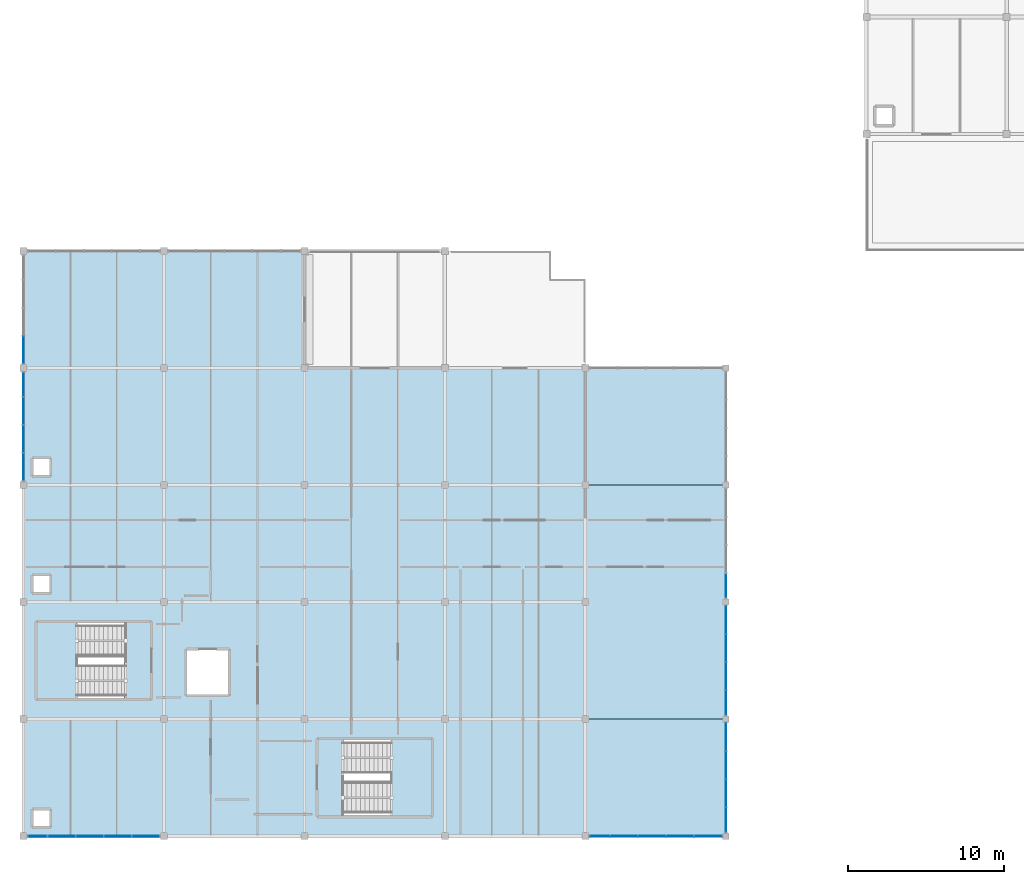
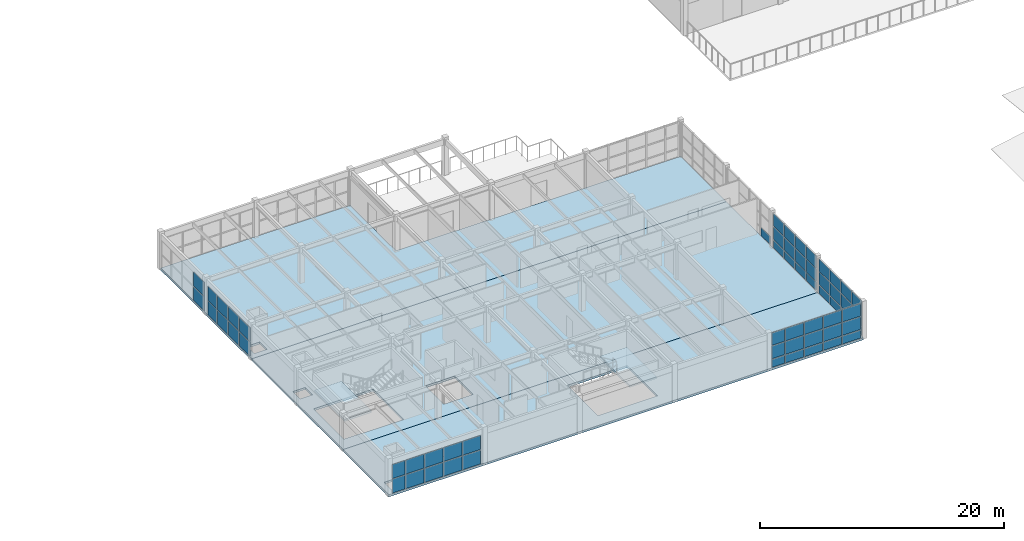
# One storey, part 23 of 45: 60 plates, 5 slabs, 9 elements without a shape of their own.
"""IFC4 building model written with IfcOpenShell, lengths in metres."""

from ifc_helpers import new_model, si_unit, direction, frame, origin, origin_2d, place, context, subcontext, project, spatial, polyline, rectangle, outline, extrude, material, layer, layer_set, type_object, element, aggregate, save


model = new_model("IFC4")

# Units and contexts
model_context = context("Model", 3, precision=1e-05, world=origin(), true_north=direction((0.0, 1.0)))
body_context = subcontext(model_context, "Body", "Model", "MODEL_VIEW")
ifc_project = project(units=[si_unit("LENGTHUNIT", "METRE"), si_unit("AREAUNIT", "SQUARE_METRE"), si_unit("VOLUMEUNIT", "CUBIC_METRE"), si_unit("PLANEANGLEUNIT", "RADIAN"), si_unit("MASSUNIT", "GRAM", prefix="KILO")], contexts=[model_context])

# Site, building, storey
site_placement = place(None, origin())
site = spatial("IfcSite", under=ifc_project, at=site_placement, CompositionType="ELEMENT")
building_placement = place(site_placement, origin())
building = spatial("IfcBuilding", under=site, at=building_placement, Name="Marnridge Secondary College", CompositionType="ELEMENT")
storey_placement = place(building_placement, frame((0.0, 0.0, 12.300048828125)))
storey = spatial("IfcBuildingStorey", under=building, at=storey_placement, Name="L03", CompositionType="ELEMENT", Elevation=12.300048828125)

# Curtain wall, plate
ifc_material_1 = material(Name="Bronze-anodised aluminium and solar-control glazing", Category="aluminium")
ifc_layer_1 = layer(ifc_material_1, 0.199951171875)
ifc_layer_set_1 = layer_set([ifc_layer_1], Name="CW-MOD-1800")
curtain_wall_type = type_object("IfcCurtainWallType", Name="CW-MOD-1800", PredefinedType="NOTDEFINED", material=ifc_layer_set_1)
curtain_wall_1_placement = place(storey_placement, origin())
curtain_wall_1 = element("IfcCurtainWall", 1, at=curtain_wall_1_placement, inside=storey, type_object=curtain_wall_type, Name="Unitised curtain wall CW-L03-131", PredefinedType="NOTDEFINED")
ifc_material_2 = material(Name="Acoustic laminated solar-control double glazing", Category="glass")
ifc_layer_2 = layer(ifc_material_2, 0.035888671875)
ifc_layer_set_2 = layer_set([ifc_layer_2], Name="CWP-GLZ36")
plate_type = type_object("IfcPlateType", Name="CWP-GLZ36", PredefinedType="CURTAIN_PANEL", material=ifc_layer_set_2)
plate_1_placement = place(storey_placement, frame((45.0, 16.050048828125, 0.06494140625), z_axis=(0.0, 0.0, 1.0), x_axis=(0.0, -1.0, 0.0)))
plate_1 = element("IfcPlate", 2, at=plate_1_placement, type_object=plate_type, Name="CW-L03-131 panel 4.1", PredefinedType="CURTAIN_PANEL", context=body_context, shape_type="SweptSolid", body=[
    extrude(rectangle(XDim=1.552001953125, YDim=0.035888671875, at=origin_2d()), origin(), (0.0, 0.0, 1.0), 0.802490234375),
])
aggregate(curtain_wall_1, [plate_1])

# Curtain wall, plates
curtain_wall_2_placement = place(storey_placement, origin())
curtain_wall_2 = element("IfcCurtainWall", 3, at=curtain_wall_2_placement, inside=storey, type_object=curtain_wall_type, Name="Unitised curtain wall CW-L03-132", PredefinedType="NOTDEFINED")
plate_2_placement = place(storey_placement, frame((45.0, 13.861083984375, 0.06494140625), z_axis=(0.0, 0.0, 1.0), x_axis=(0.0, -1.0, 0.0)))
plate_2 = element("IfcPlate", 4, at=plate_2_placement, type_object=plate_type, Name="CW-L03-132 panel 1.1", PredefinedType="CURTAIN_PANEL", context=body_context, shape_type="SweptSolid", body=[
    extrude(rectangle(XDim=1.72998046875, YDim=0.035888671875, at=origin_2d()), origin(), (0.0, 0.0, 1.0), 0.802490234375),
])
plate_3_placement = place(storey_placement, frame((45.0, 13.861083984375, 0.9326171875), z_axis=(0.0, 0.0, 1.0), x_axis=(0.0, -1.0, 0.0)))
plate_3 = element("IfcPlate", 5, at=plate_3_placement, type_object=plate_type, Name="CW-L03-132 panel 1.2", PredefinedType="CURTAIN_PANEL", context=body_context, shape_type="SweptSolid", body=[
    extrude(rectangle(XDim=1.72998046875, YDim=0.035888671875, at=origin_2d()), origin(), (0.0, 0.0, 1.0), 1.284912109375),
])
plate_4_placement = place(storey_placement, frame((45.0, 13.861083984375, 2.28271484375), z_axis=(0.0, 0.0, 1.0), x_axis=(0.0, -1.0, 0.0)))
plate_4 = element("IfcPlate", 6, at=plate_4_placement, type_object=plate_type, Name="CW-L03-132 panel 1.3", PredefinedType="CURTAIN_PANEL", context=body_context, shape_type="SweptSolid", body=[
    extrude(rectangle(XDim=1.72998046875, YDim=0.035888671875, at=origin_2d()), origin(), (0.0, 0.0, 1.0), 1.242431640625),
])
plate_5_placement = place(storey_placement, frame((45.0, 12.06103515625, 0.06494140625), z_axis=(0.0, 0.0, 1.0), x_axis=(0.0, -1.0, 0.0)))
plate_5 = element("IfcPlate", 7, at=plate_5_placement, type_object=plate_type, Name="CW-L03-132 panel 2.1", PredefinedType="CURTAIN_PANEL", context=body_context, shape_type="SweptSolid", body=[
    extrude(rectangle(XDim=1.72998046875, YDim=0.035888671875, at=origin_2d()), origin(), (0.0, 0.0, 1.0), 0.802490234375),
])
plate_6_placement = place(storey_placement, frame((45.0, 12.06103515625, 0.9326171875), z_axis=(0.0, 0.0, 1.0), x_axis=(0.0, -1.0, 0.0)))
plate_6 = element("IfcPlate", 8, at=plate_6_placement, type_object=plate_type, Name="CW-L03-132 panel 2.2", PredefinedType="CURTAIN_PANEL", context=body_context, shape_type="SweptSolid", body=[
    extrude(rectangle(XDim=1.72998046875, YDim=0.035888671875, at=origin_2d()), origin(), (0.0, 0.0, 1.0), 1.284912109375),
])
plate_7_placement = place(storey_placement, frame((45.0, 12.06103515625, 2.28271484375), z_axis=(0.0, 0.0, 1.0), x_axis=(0.0, -1.0, 0.0)))
plate_7 = element("IfcPlate", 9, at=plate_7_placement, type_object=plate_type, Name="CW-L03-132 panel 2.3", PredefinedType="CURTAIN_PANEL", context=body_context, shape_type="SweptSolid", body=[
    extrude(rectangle(XDim=1.72998046875, YDim=0.035888671875, at=origin_2d()), origin(), (0.0, 0.0, 1.0), 1.242431640625),
])
plate_8_placement = place(storey_placement, frame((45.0, 10.260986328125, 0.06494140625), z_axis=(0.0, 0.0, 1.0), x_axis=(0.0, -1.0, 0.0)))
plate_8 = element("IfcPlate", 10, at=plate_8_placement, type_object=plate_type, Name="CW-L03-132 panel 3.1", PredefinedType="CURTAIN_PANEL", context=body_context, shape_type="SweptSolid", body=[
    extrude(rectangle(XDim=1.72998046875, YDim=0.035888671875, at=origin_2d()), origin(), (0.0, 0.0, 1.0), 0.802490234375),
])
plate_9_placement = place(storey_placement, frame((45.0, 10.260986328125, 0.9326171875), z_axis=(0.0, 0.0, 1.0), x_axis=(0.0, -1.0, 0.0)))
plate_9 = element("IfcPlate", 11, at=plate_9_placement, type_object=plate_type, Name="CW-L03-132 panel 3.2", PredefinedType="CURTAIN_PANEL", context=body_context, shape_type="SweptSolid", body=[
    extrude(rectangle(XDim=1.72998046875, YDim=0.035888671875, at=origin_2d()), origin(), (0.0, 0.0, 1.0), 1.284912109375),
])
plate_10_placement = place(storey_placement, frame((45.0, 10.260986328125, 2.28271484375), z_axis=(0.0, 0.0, 1.0), x_axis=(0.0, -1.0, 0.0)))
plate_10 = element("IfcPlate", 12, at=plate_10_placement, type_object=plate_type, Name="CW-L03-132 panel 3.3", PredefinedType="CURTAIN_PANEL", context=body_context, shape_type="SweptSolid", body=[
    extrude(rectangle(XDim=1.72998046875, YDim=0.035888671875, at=origin_2d()), origin(), (0.0, 0.0, 1.0), 1.242431640625),
])
plate_11_placement = place(storey_placement, frame((45.0, 8.550048828125, 0.06494140625), z_axis=(0.0, 0.0, 1.0), x_axis=(0.0, -1.0, 0.0)))
plate_11 = element("IfcPlate", 13, at=plate_11_placement, type_object=plate_type, Name="CW-L03-132 panel 4.1", PredefinedType="CURTAIN_PANEL", context=body_context, shape_type="SweptSolid", body=[
    extrude(rectangle(XDim=1.552001953125, YDim=0.035888671875, at=origin_2d()), origin(), (0.0, 0.0, 1.0), 0.802490234375),
])
plate_12_placement = place(storey_placement, frame((45.0, 8.550048828125, 0.9326171875), z_axis=(0.0, 0.0, 1.0), x_axis=(0.0, -1.0, 0.0)))
plate_12 = element("IfcPlate", 14, at=plate_12_placement, type_object=plate_type, Name="CW-L03-132 panel 4.2", PredefinedType="CURTAIN_PANEL", context=body_context, shape_type="SweptSolid", body=[
    extrude(rectangle(XDim=1.552001953125, YDim=0.035888671875, at=origin_2d()), origin(), (0.0, 0.0, 1.0), 1.284912109375),
])
plate_13_placement = place(storey_placement, frame((45.0, 8.550048828125, 2.28271484375), z_axis=(0.0, 0.0, 1.0), x_axis=(0.0, -1.0, 0.0)))
plate_13 = element("IfcPlate", 15, at=plate_13_placement, type_object=plate_type, Name="CW-L03-132 panel 4.3", PredefinedType="CURTAIN_PANEL", context=body_context, shape_type="SweptSolid", body=[
    extrude(rectangle(XDim=1.552001953125, YDim=0.035888671875, at=origin_2d()), origin(), (0.0, 0.0, 1.0), 1.242431640625),
])
aggregate(curtain_wall_2, [plate_2, plate_3, plate_4, plate_5, plate_6, plate_7, plate_8, plate_9, plate_10, plate_11, plate_12, plate_13])

curtain_wall_3_placement = place(storey_placement, origin())
curtain_wall_3 = element("IfcCurtainWall", 16, at=curtain_wall_3_placement, inside=storey, type_object=curtain_wall_type, Name="Unitised curtain wall CW-L03-133", PredefinedType="NOTDEFINED")
plate_14_placement = place(storey_placement, frame((45.0, 6.361083984375, 0.06494140625), z_axis=(0.0, 0.0, 1.0), x_axis=(0.0, -1.0, 0.0)))
plate_14 = element("IfcPlate", 17, at=plate_14_placement, type_object=plate_type, Name="CW-L03-133 panel 1.1", PredefinedType="CURTAIN_PANEL", context=body_context, shape_type="SweptSolid", body=[
    extrude(rectangle(XDim=1.72998046875, YDim=0.035888671875, at=origin_2d()), origin(), (0.0, 0.0, 1.0), 0.802490234375),
])
plate_15_placement = place(storey_placement, frame((45.0, 6.361083984375, 0.9326171875), z_axis=(0.0, 0.0, 1.0), x_axis=(0.0, -1.0, 0.0)))
plate_15 = element("IfcPlate", 18, at=plate_15_placement, type_object=plate_type, Name="CW-L03-133 panel 1.2", PredefinedType="CURTAIN_PANEL", context=body_context, shape_type="SweptSolid", body=[
    extrude(rectangle(XDim=1.72998046875, YDim=0.035888671875, at=origin_2d()), origin(), (0.0, 0.0, 1.0), 1.284912109375),
])
plate_16_placement = place(storey_placement, frame((45.0, 6.361083984375, 2.28271484375), z_axis=(0.0, 0.0, 1.0), x_axis=(0.0, -1.0, 0.0)))
plate_16 = element("IfcPlate", 19, at=plate_16_placement, type_object=plate_type, Name="CW-L03-133 panel 1.3", PredefinedType="CURTAIN_PANEL", context=body_context, shape_type="SweptSolid", body=[
    extrude(rectangle(XDim=1.72998046875, YDim=0.035888671875, at=origin_2d()), origin(), (0.0, 0.0, 1.0), 1.242431640625),
])
plate_17_placement = place(storey_placement, frame((45.0, 4.56103515625, 0.06494140625), z_axis=(0.0, 0.0, 1.0), x_axis=(0.0, -1.0, 0.0)))
plate_17 = element("IfcPlate", 20, at=plate_17_placement, type_object=plate_type, Name="CW-L03-133 panel 2.1", PredefinedType="CURTAIN_PANEL", context=body_context, shape_type="SweptSolid", body=[
    extrude(rectangle(XDim=1.72998046875, YDim=0.035888671875, at=origin_2d()), origin(), (0.0, 0.0, 1.0), 0.802490234375),
])
plate_18_placement = place(storey_placement, frame((45.0, 4.56103515625, 0.9326171875), z_axis=(0.0, 0.0, 1.0), x_axis=(0.0, -1.0, 0.0)))
plate_18 = element("IfcPlate", 21, at=plate_18_placement, type_object=plate_type, Name="CW-L03-133 panel 2.2", PredefinedType="CURTAIN_PANEL", context=body_context, shape_type="SweptSolid", body=[
    extrude(rectangle(XDim=1.72998046875, YDim=0.035888671875, at=origin_2d()), origin(), (0.0, 0.0, 1.0), 1.284912109375),
])
plate_19_placement = place(storey_placement, frame((45.0, 4.56103515625, 2.28271484375), z_axis=(0.0, 0.0, 1.0), x_axis=(0.0, -1.0, 0.0)))
plate_19 = element("IfcPlate", 22, at=plate_19_placement, type_object=plate_type, Name="CW-L03-133 panel 2.3", PredefinedType="CURTAIN_PANEL", context=body_context, shape_type="SweptSolid", body=[
    extrude(rectangle(XDim=1.72998046875, YDim=0.035888671875, at=origin_2d()), origin(), (0.0, 0.0, 1.0), 1.242431640625),
])
plate_20_placement = place(storey_placement, frame((45.0, 2.760986328125, 0.06494140625), z_axis=(0.0, 0.0, 1.0), x_axis=(0.0, -1.0, 0.0)))
plate_20 = element("IfcPlate", 23, at=plate_20_placement, type_object=plate_type, Name="CW-L03-133 panel 3.1", PredefinedType="CURTAIN_PANEL", context=body_context, shape_type="SweptSolid", body=[
    extrude(rectangle(XDim=1.72998046875, YDim=0.035888671875, at=origin_2d()), origin(), (0.0, 0.0, 1.0), 0.802490234375),
])
plate_21_placement = place(storey_placement, frame((45.0, 2.760986328125, 0.9326171875), z_axis=(0.0, 0.0, 1.0), x_axis=(0.0, -1.0, 0.0)))
plate_21 = element("IfcPlate", 24, at=plate_21_placement, type_object=plate_type, Name="CW-L03-133 panel 3.2", PredefinedType="CURTAIN_PANEL", context=body_context, shape_type="SweptSolid", body=[
    extrude(rectangle(XDim=1.72998046875, YDim=0.035888671875, at=origin_2d()), origin(), (0.0, 0.0, 1.0), 1.284912109375),
])
plate_22_placement = place(storey_placement, frame((45.0, 2.760986328125, 2.28271484375), z_axis=(0.0, 0.0, 1.0), x_axis=(0.0, -1.0, 0.0)))
plate_22 = element("IfcPlate", 25, at=plate_22_placement, type_object=plate_type, Name="CW-L03-133 panel 3.3", PredefinedType="CURTAIN_PANEL", context=body_context, shape_type="SweptSolid", body=[
    extrude(rectangle(XDim=1.72998046875, YDim=0.035888671875, at=origin_2d()), origin(), (0.0, 0.0, 1.0), 1.242431640625),
])
plate_23_placement = place(storey_placement, frame((45.0, 1.050048828125, 0.06494140625), z_axis=(0.0, 0.0, 1.0), x_axis=(0.0, -1.0, 0.0)))
plate_23 = element("IfcPlate", 26, at=plate_23_placement, type_object=plate_type, Name="CW-L03-133 panel 4.1", PredefinedType="CURTAIN_PANEL", context=body_context, shape_type="SweptSolid", body=[
    extrude(rectangle(XDim=1.552001953125, YDim=0.035888671875, at=origin_2d()), origin(), (0.0, 0.0, 1.0), 0.802490234375),
])
plate_24_placement = place(storey_placement, frame((45.0, 1.050048828125, 0.9326171875), z_axis=(0.0, 0.0, 1.0), x_axis=(0.0, -1.0, 0.0)))
plate_24 = element("IfcPlate", 27, at=plate_24_placement, type_object=plate_type, Name="CW-L03-133 panel 4.2", PredefinedType="CURTAIN_PANEL", context=body_context, shape_type="SweptSolid", body=[
    extrude(rectangle(XDim=1.552001953125, YDim=0.035888671875, at=origin_2d()), origin(), (0.0, 0.0, 1.0), 1.284912109375),
])
plate_25_placement = place(storey_placement, frame((45.0, 1.050048828125, 2.28271484375), z_axis=(0.0, 0.0, 1.0), x_axis=(0.0, -1.0, 0.0)))
plate_25 = element("IfcPlate", 28, at=plate_25_placement, type_object=plate_type, Name="CW-L03-133 panel 4.3", PredefinedType="CURTAIN_PANEL", context=body_context, shape_type="SweptSolid", body=[
    extrude(rectangle(XDim=1.552001953125, YDim=0.035888671875, at=origin_2d()), origin(), (0.0, 0.0, 1.0), 1.242431640625),
])
aggregate(curtain_wall_3, [plate_14, plate_15, plate_16, plate_17, plate_18, plate_19, plate_20, plate_21, plate_22, plate_23, plate_24, plate_25])

curtain_wall_4_placement = place(storey_placement, origin())
curtain_wall_4 = element("IfcCurtainWall", 29, at=curtain_wall_4_placement, inside=storey, type_object=curtain_wall_type, Name="Unitised curtain wall CW-L03-134", PredefinedType="NOTDEFINED")
plate_26_placement = place(storey_placement, frame((43.861083984375, 0.0, 0.06494140625), z_axis=(0.0, 0.0, 1.0), x_axis=(-1.0, 0.0, 0.0)))
plate_26 = element("IfcPlate", 30, at=plate_26_placement, type_object=plate_type, Name="CW-L03-134 panel 1.1", PredefinedType="CURTAIN_PANEL", context=body_context, shape_type="SweptSolid", body=[
    extrude(rectangle(XDim=1.72998046875, YDim=0.035888671875, at=origin_2d()), origin(), (0.0, 0.0, 1.0), 0.802490234375),
])
plate_27_placement = place(storey_placement, frame((43.861083984375, 0.0, 0.9326171875), z_axis=(0.0, 0.0, 1.0), x_axis=(-1.0, 0.0, 0.0)))
plate_27 = element("IfcPlate", 31, at=plate_27_placement, type_object=plate_type, Name="CW-L03-134 panel 1.2", PredefinedType="CURTAIN_PANEL", context=body_context, shape_type="SweptSolid", body=[
    extrude(rectangle(XDim=1.72998046875, YDim=0.035888671875, at=origin_2d()), origin(), (0.0, 0.0, 1.0), 1.284912109375),
])
plate_28_placement = place(storey_placement, frame((43.861083984375, 0.0, 2.28271484375), z_axis=(0.0, 0.0, 1.0), x_axis=(-1.0, 0.0, 0.0)))
plate_28 = element("IfcPlate", 32, at=plate_28_placement, type_object=plate_type, Name="CW-L03-134 panel 1.3", PredefinedType="CURTAIN_PANEL", context=body_context, shape_type="SweptSolid", body=[
    extrude(rectangle(XDim=1.72998046875, YDim=0.035888671875, at=origin_2d()), origin(), (0.0, 0.0, 1.0), 1.242431640625),
])
plate_29_placement = place(storey_placement, frame((42.06103515625, 0.0, 0.06494140625), z_axis=(0.0, 0.0, 1.0), x_axis=(-1.0, 0.0, 0.0)))
plate_29 = element("IfcPlate", 33, at=plate_29_placement, type_object=plate_type, Name="CW-L03-134 panel 2.1", PredefinedType="CURTAIN_PANEL", context=body_context, shape_type="SweptSolid", body=[
    extrude(rectangle(XDim=1.72998046875, YDim=0.035888671875, at=origin_2d()), origin(), (0.0, 0.0, 1.0), 0.802490234375),
])
plate_30_placement = place(storey_placement, frame((42.06103515625, 0.0, 0.9326171875), z_axis=(0.0, 0.0, 1.0), x_axis=(-1.0, 0.0, 0.0)))
plate_30 = element("IfcPlate", 34, at=plate_30_placement, type_object=plate_type, Name="CW-L03-134 panel 2.2", PredefinedType="CURTAIN_PANEL", context=body_context, shape_type="SweptSolid", body=[
    extrude(rectangle(XDim=1.72998046875, YDim=0.035888671875, at=origin_2d()), origin(), (0.0, 0.0, 1.0), 1.284912109375),
])
plate_31_placement = place(storey_placement, frame((42.06103515625, 0.0, 2.28271484375), z_axis=(0.0, 0.0, 1.0), x_axis=(-1.0, 0.0, 0.0)))
plate_31 = element("IfcPlate", 35, at=plate_31_placement, type_object=plate_type, Name="CW-L03-134 panel 2.3", PredefinedType="CURTAIN_PANEL", context=body_context, shape_type="SweptSolid", body=[
    extrude(rectangle(XDim=1.72998046875, YDim=0.035888671875, at=origin_2d()), origin(), (0.0, 0.0, 1.0), 1.242431640625),
])
plate_32_placement = place(storey_placement, frame((40.260986328125, 0.0, 0.06494140625), z_axis=(0.0, 0.0, 1.0), x_axis=(-1.0, 0.0, 0.0)))
plate_32 = element("IfcPlate", 36, at=plate_32_placement, type_object=plate_type, Name="CW-L03-134 panel 3.1", PredefinedType="CURTAIN_PANEL", context=body_context, shape_type="SweptSolid", body=[
    extrude(rectangle(XDim=1.72998046875, YDim=0.035888671875, at=origin_2d()), origin(), (0.0, 0.0, 1.0), 0.802490234375),
])
plate_33_placement = place(storey_placement, frame((40.260986328125, 0.0, 0.9326171875), z_axis=(0.0, 0.0, 1.0), x_axis=(-1.0, 0.0, 0.0)))
plate_33 = element("IfcPlate", 37, at=plate_33_placement, type_object=plate_type, Name="CW-L03-134 panel 3.2", PredefinedType="CURTAIN_PANEL", context=body_context, shape_type="SweptSolid", body=[
    extrude(rectangle(XDim=1.72998046875, YDim=0.035888671875, at=origin_2d()), origin(), (0.0, 0.0, 1.0), 1.284912109375),
])
plate_34_placement = place(storey_placement, frame((40.260986328125, 0.0, 2.28271484375), z_axis=(0.0, 0.0, 1.0), x_axis=(-1.0, 0.0, 0.0)))
plate_34 = element("IfcPlate", 38, at=plate_34_placement, type_object=plate_type, Name="CW-L03-134 panel 3.3", PredefinedType="CURTAIN_PANEL", context=body_context, shape_type="SweptSolid", body=[
    extrude(rectangle(XDim=1.72998046875, YDim=0.035888671875, at=origin_2d()), origin(), (0.0, 0.0, 1.0), 1.242431640625),
])
plate_35_placement = place(storey_placement, frame((38.4609375, 0.0, 0.06494140625), z_axis=(0.0, 0.0, 1.0), x_axis=(-1.0, 0.0, 0.0)))
plate_35 = element("IfcPlate", 39, at=plate_35_placement, type_object=plate_type, Name="CW-L03-134 panel 4.1", PredefinedType="CURTAIN_PANEL", context=body_context, shape_type="SweptSolid", body=[
    extrude(rectangle(XDim=1.72998046875, YDim=0.035888671875, at=origin_2d()), origin(), (0.0, 0.0, 1.0), 0.802490234375),
])
plate_36_placement = place(storey_placement, frame((38.4609375, 0.0, 0.9326171875), z_axis=(0.0, 0.0, 1.0), x_axis=(-1.0, 0.0, 0.0)))
plate_36 = element("IfcPlate", 40, at=plate_36_placement, type_object=plate_type, Name="CW-L03-134 panel 4.2", PredefinedType="CURTAIN_PANEL", context=body_context, shape_type="SweptSolid", body=[
    extrude(rectangle(XDim=1.72998046875, YDim=0.035888671875, at=origin_2d()), origin(), (0.0, 0.0, 1.0), 1.284912109375),
])
plate_37_placement = place(storey_placement, frame((38.4609375, 0.0, 2.28271484375), z_axis=(0.0, 0.0, 1.0), x_axis=(-1.0, 0.0, 0.0)))
plate_37 = element("IfcPlate", 41, at=plate_37_placement, type_object=plate_type, Name="CW-L03-134 panel 4.3", PredefinedType="CURTAIN_PANEL", context=body_context, shape_type="SweptSolid", body=[
    extrude(rectangle(XDim=1.72998046875, YDim=0.035888671875, at=origin_2d()), origin(), (0.0, 0.0, 1.0), 1.242431640625),
])
plate_38_placement = place(storey_placement, frame((36.91259765625, 0.0, 0.06494140625), z_axis=(0.0, 0.0, 1.0), x_axis=(-1.0, 0.0, 0.0)))
plate_38 = element("IfcPlate", 42, at=plate_38_placement, type_object=plate_type, Name="CW-L03-134 panel 5.1", PredefinedType="CURTAIN_PANEL", context=body_context, shape_type="SweptSolid", body=[
    extrude(rectangle(XDim=1.22705078125, YDim=0.035888671875, at=origin_2d()), origin(), (0.0, 0.0, 1.0), 0.802490234375),
])
plate_39_placement = place(storey_placement, frame((36.91259765625, 0.0, 0.9326171875), z_axis=(0.0, 0.0, 1.0), x_axis=(-1.0, 0.0, 0.0)))
plate_39 = element("IfcPlate", 43, at=plate_39_placement, type_object=plate_type, Name="CW-L03-134 panel 5.2", PredefinedType="CURTAIN_PANEL", context=body_context, shape_type="SweptSolid", body=[
    extrude(rectangle(XDim=1.22705078125, YDim=0.035888671875, at=origin_2d()), origin(), (0.0, 0.0, 1.0), 1.284912109375),
])
plate_40_placement = place(storey_placement, frame((36.91259765625, 0.0, 2.28271484375), z_axis=(0.0, 0.0, 1.0), x_axis=(-1.0, 0.0, 0.0)))
plate_40 = element("IfcPlate", 44, at=plate_40_placement, type_object=plate_type, Name="CW-L03-134 panel 5.3", PredefinedType="CURTAIN_PANEL", context=body_context, shape_type="SweptSolid", body=[
    extrude(rectangle(XDim=1.22705078125, YDim=0.035888671875, at=origin_2d()), origin(), (0.0, 0.0, 1.0), 1.242431640625),
])
aggregate(curtain_wall_4, [plate_26, plate_27, plate_28, plate_29, plate_30, plate_31, plate_32, plate_33, plate_34, plate_35, plate_36, plate_37, plate_38, plate_39, plate_40])

curtain_wall_5_placement = place(storey_placement, origin())
curtain_wall_5 = element("IfcCurtainWall", 45, at=curtain_wall_5_placement, inside=storey, type_object=curtain_wall_type, Name="Unitised curtain wall CW-L03-135", PredefinedType="NOTDEFINED")
plate_41_placement = place(storey_placement, frame((7.8359375, 0.0, 0.06494140625), z_axis=(0.0, 0.0, 1.0), x_axis=(-1.0, 0.0, 0.0)))
plate_41 = element("IfcPlate", 46, at=plate_41_placement, type_object=plate_type, Name="CW-L03-135 panel 1.1", PredefinedType="CURTAIN_PANEL", context=body_context, shape_type="SweptSolid", body=[
    extrude(rectangle(XDim=1.72998046875, YDim=0.035888671875, at=origin_2d()), origin(), (0.0, 0.0, 1.0), 1.401611328125),
])
plate_42_placement = place(storey_placement, frame((7.8359375, 0.0, 1.531494140625), z_axis=(0.0, 0.0, 1.0), x_axis=(-1.0, 0.0, 0.0)))
plate_42 = element("IfcPlate", 47, at=plate_42_placement, type_object=plate_type, Name="CW-L03-135 panel 1.2", PredefinedType="CURTAIN_PANEL", context=body_context, shape_type="SweptSolid", body=[
    extrude(rectangle(XDim=1.72998046875, YDim=0.035888671875, at=origin_2d()), origin(), (0.0, 0.0, 1.0), 1.400390625),
])
plate_43_placement = place(storey_placement, frame((6.035888671875, 0.0, 0.06494140625), z_axis=(0.0, 0.0, 1.0), x_axis=(-1.0, 0.0, 0.0)))
plate_43 = element("IfcPlate", 48, at=plate_43_placement, type_object=plate_type, Name="CW-L03-135 panel 2.1", PredefinedType="CURTAIN_PANEL", context=body_context, shape_type="SweptSolid", body=[
    extrude(rectangle(XDim=1.72998046875, YDim=0.035888671875, at=origin_2d()), origin(), (0.0, 0.0, 1.0), 1.401611328125),
])
plate_44_placement = place(storey_placement, frame((6.035888671875, 0.0, 1.531494140625), z_axis=(0.0, 0.0, 1.0), x_axis=(-1.0, 0.0, 0.0)))
plate_44 = element("IfcPlate", 49, at=plate_44_placement, type_object=plate_type, Name="CW-L03-135 panel 2.2", PredefinedType="CURTAIN_PANEL", context=body_context, shape_type="SweptSolid", body=[
    extrude(rectangle(XDim=1.72998046875, YDim=0.035888671875, at=origin_2d()), origin(), (0.0, 0.0, 1.0), 1.400390625),
])
plate_45_placement = place(storey_placement, frame((4.236083984375, 0.0, 0.06494140625), z_axis=(0.0, 0.0, 1.0), x_axis=(-1.0, 0.0, 0.0)))
plate_45 = element("IfcPlate", 50, at=plate_45_placement, type_object=plate_type, Name="CW-L03-135 panel 3.1", PredefinedType="CURTAIN_PANEL", context=body_context, shape_type="SweptSolid", body=[
    extrude(rectangle(XDim=1.72998046875, YDim=0.035888671875, at=origin_2d()), origin(), (0.0, 0.0, 1.0), 1.401611328125),
])
plate_46_placement = place(storey_placement, frame((4.236083984375, 0.0, 1.531494140625), z_axis=(0.0, 0.0, 1.0), x_axis=(-1.0, 0.0, 0.0)))
plate_46 = element("IfcPlate", 51, at=plate_46_placement, type_object=plate_type, Name="CW-L03-135 panel 3.2", PredefinedType="CURTAIN_PANEL", context=body_context, shape_type="SweptSolid", body=[
    extrude(rectangle(XDim=1.72998046875, YDim=0.035888671875, at=origin_2d()), origin(), (0.0, 0.0, 1.0), 1.400390625),
])
plate_47_placement = place(storey_placement, frame((2.43603515625, 0.0, 0.06494140625), z_axis=(0.0, 0.0, 1.0), x_axis=(-1.0, 0.0, 0.0)))
plate_47 = element("IfcPlate", 52, at=plate_47_placement, type_object=plate_type, Name="CW-L03-135 panel 4.1", PredefinedType="CURTAIN_PANEL", context=body_context, shape_type="SweptSolid", body=[
    extrude(rectangle(XDim=1.72998046875, YDim=0.035888671875, at=origin_2d()), origin(), (0.0, 0.0, 1.0), 1.401611328125),
])
plate_48_placement = place(storey_placement, frame((2.43603515625, 0.0, 1.531494140625), z_axis=(0.0, 0.0, 1.0), x_axis=(-1.0, 0.0, 0.0)))
plate_48 = element("IfcPlate", 53, at=plate_48_placement, type_object=plate_type, Name="CW-L03-135 panel 4.2", PredefinedType="CURTAIN_PANEL", context=body_context, shape_type="SweptSolid", body=[
    extrude(rectangle(XDim=1.72998046875, YDim=0.035888671875, at=origin_2d()), origin(), (0.0, 0.0, 1.0), 1.400390625),
])
plate_49_placement = place(storey_placement, frame((0.89990234375, 0.0, 0.06494140625), z_axis=(0.0, 0.0, 1.0), x_axis=(-1.0, 0.0, 0.0)))
plate_49 = element("IfcPlate", 54, at=plate_49_placement, type_object=plate_type, Name="CW-L03-135 panel 5.1", PredefinedType="CURTAIN_PANEL", context=body_context, shape_type="SweptSolid", body=[
    extrude(rectangle(XDim=1.201904296875, YDim=0.035888671875, at=origin_2d()), origin(), (0.0, 0.0, 1.0), 1.401611328125),
])
plate_50_placement = place(storey_placement, frame((0.89990234375, 0.0, 1.531494140625), z_axis=(0.0, 0.0, 1.0), x_axis=(-1.0, 0.0, 0.0)))
plate_50 = element("IfcPlate", 55, at=plate_50_placement, type_object=plate_type, Name="CW-L03-135 panel 5.2", PredefinedType="CURTAIN_PANEL", context=body_context, shape_type="SweptSolid", body=[
    extrude(rectangle(XDim=1.201904296875, YDim=0.035888671875, at=origin_2d()), origin(), (0.0, 0.0, 1.0), 1.400390625),
])
aggregate(curtain_wall_5, [plate_41, plate_42, plate_43, plate_44, plate_45, plate_46, plate_47, plate_48, plate_49, plate_50])

curtain_wall_6_placement = place(storey_placement, origin())
curtain_wall_6 = element("IfcCurtainWall", 56, at=curtain_wall_6_placement, inside=storey, type_object=curtain_wall_type, Name="Unitised curtain wall CW-L03-136", PredefinedType="NOTDEFINED")
plate_51_placement = place(storey_placement, frame((0.0, 23.6640625, 0.06494140625), z_axis=(0.0, 0.0, 1.0), x_axis=(0.0, 1.0, 0.0)))
plate_51 = element("IfcPlate", 57, at=plate_51_placement, type_object=plate_type, Name="CW-L03-136 panel 1.1", PredefinedType="CURTAIN_PANEL", context=body_context, shape_type="SweptSolid", body=[
    extrude(rectangle(XDim=1.72998046875, YDim=0.035888671875, at=origin_2d()), origin(), (0.0, 0.0, 1.0), 1.401611328125),
])
plate_52_placement = place(storey_placement, frame((0.0, 23.6640625, 1.531494140625), z_axis=(0.0, 0.0, 1.0), x_axis=(0.0, 1.0, 0.0)))
plate_52 = element("IfcPlate", 58, at=plate_52_placement, type_object=plate_type, Name="CW-L03-136 panel 1.2", PredefinedType="CURTAIN_PANEL", context=body_context, shape_type="SweptSolid", body=[
    extrude(rectangle(XDim=1.72998046875, YDim=0.035888671875, at=origin_2d()), origin(), (0.0, 0.0, 1.0), 1.400390625),
])
plate_53_placement = place(storey_placement, frame((0.0, 25.464111328125, 0.06494140625), z_axis=(0.0, 0.0, 1.0), x_axis=(0.0, 1.0, 0.0)))
plate_53 = element("IfcPlate", 59, at=plate_53_placement, type_object=plate_type, Name="CW-L03-136 panel 2.1", PredefinedType="CURTAIN_PANEL", context=body_context, shape_type="SweptSolid", body=[
    extrude(rectangle(XDim=1.72998046875, YDim=0.035888671875, at=origin_2d()), origin(), (0.0, 0.0, 1.0), 1.401611328125),
])
plate_54_placement = place(storey_placement, frame((0.0, 25.464111328125, 1.531494140625), z_axis=(0.0, 0.0, 1.0), x_axis=(0.0, 1.0, 0.0)))
plate_54 = element("IfcPlate", 60, at=plate_54_placement, type_object=plate_type, Name="CW-L03-136 panel 2.2", PredefinedType="CURTAIN_PANEL", context=body_context, shape_type="SweptSolid", body=[
    extrude(rectangle(XDim=1.72998046875, YDim=0.035888671875, at=origin_2d()), origin(), (0.0, 0.0, 1.0), 1.400390625),
])
plate_55_placement = place(storey_placement, frame((0.0, 27.263916015625, 0.06494140625), z_axis=(0.0, 0.0, 1.0), x_axis=(0.0, 1.0, 0.0)))
plate_55 = element("IfcPlate", 61, at=plate_55_placement, type_object=plate_type, Name="CW-L03-136 panel 3.1", PredefinedType="CURTAIN_PANEL", context=body_context, shape_type="SweptSolid", body=[
    extrude(rectangle(XDim=1.72998046875, YDim=0.035888671875, at=origin_2d()), origin(), (0.0, 0.0, 1.0), 1.401611328125),
])
plate_56_placement = place(storey_placement, frame((0.0, 27.263916015625, 1.531494140625), z_axis=(0.0, 0.0, 1.0), x_axis=(0.0, 1.0, 0.0)))
plate_56 = element("IfcPlate", 62, at=plate_56_placement, type_object=plate_type, Name="CW-L03-136 panel 3.2", PredefinedType="CURTAIN_PANEL", context=body_context, shape_type="SweptSolid", body=[
    extrude(rectangle(XDim=1.72998046875, YDim=0.035888671875, at=origin_2d()), origin(), (0.0, 0.0, 1.0), 1.400390625),
])
plate_57_placement = place(storey_placement, frame((0.0, 28.949951171875, 0.06494140625), z_axis=(0.0, 0.0, 1.0), x_axis=(0.0, 1.0, 0.0)))
plate_57 = element("IfcPlate", 63, at=plate_57_placement, type_object=plate_type, Name="CW-L03-136 panel 4.1", PredefinedType="CURTAIN_PANEL", context=body_context, shape_type="SweptSolid", body=[
    extrude(rectangle(XDim=1.501953125, YDim=0.035888671875, at=origin_2d()), origin(), (0.0, 0.0, 1.0), 1.401611328125),
])
plate_58_placement = place(storey_placement, frame((0.0, 28.949951171875, 1.531494140625), z_axis=(0.0, 0.0, 1.0), x_axis=(0.0, 1.0, 0.0)))
plate_58 = element("IfcPlate", 64, at=plate_58_placement, type_object=plate_type, Name="CW-L03-136 panel 4.2", PredefinedType="CURTAIN_PANEL", context=body_context, shape_type="SweptSolid", body=[
    extrude(rectangle(XDim=1.501953125, YDim=0.035888671875, at=origin_2d()), origin(), (0.0, 0.0, 1.0), 1.400390625),
])
aggregate(curtain_wall_6, [plate_51, plate_52, plate_53, plate_54, plate_55, plate_56, plate_57, plate_58])

curtain_wall_7_placement = place(storey_placement, origin())
curtain_wall_7 = element("IfcCurtainWall", 65, at=curtain_wall_7_placement, inside=storey, type_object=curtain_wall_type, Name="Unitised curtain wall CW-L03-137", PredefinedType="NOTDEFINED")
plate_59_placement = place(storey_placement, frame((0.0, 31.1640625, 0.06494140625), z_axis=(0.0, 0.0, 1.0), x_axis=(0.0, 1.0, 0.0)))
plate_59 = element("IfcPlate", 66, at=plate_59_placement, type_object=plate_type, Name="CW-L03-137 panel 1.1", PredefinedType="CURTAIN_PANEL", context=body_context, shape_type="SweptSolid", body=[
    extrude(rectangle(XDim=1.72998046875, YDim=0.035888671875, at=origin_2d()), origin(), (0.0, 0.0, 1.0), 1.401611328125),
])
plate_60_placement = place(storey_placement, frame((0.0, 31.1640625, 1.531494140625), z_axis=(0.0, 0.0, 1.0), x_axis=(0.0, 1.0, 0.0)))
plate_60 = element("IfcPlate", 67, at=plate_60_placement, type_object=plate_type, Name="CW-L03-137 panel 1.2", PredefinedType="CURTAIN_PANEL", context=body_context, shape_type="SweptSolid", body=[
    extrude(rectangle(XDim=1.72998046875, YDim=0.035888671875, at=origin_2d()), origin(), (0.0, 0.0, 1.0), 1.400390625),
])
aggregate(curtain_wall_7, [plate_59, plate_60])

# Slabs
ifc_material_3 = material(Name="Cross-laminated timber CL5", Category="wood")
ifc_layer_3 = layer(ifc_material_3, 0.2099609375)
ifc_layer_set_3 = layer_set([ifc_layer_3], Name="SL-CLT-210")
slab_type_1 = type_object("IfcSlabType", Name="SL-CLT-210", PredefinedType="FLOOR", material=ifc_layer_set_3)
slab_1_placement = place(storey_placement, frame((0.0, 0.0, -0.2099609375)))
element("IfcSlab", 68, at=slab_1_placement, inside=storey, type_object=slab_type_1, Name="Floor slab SL-L03-044", PredefinedType="FLOOR", context=body_context, shape_type="SweptSolid", body=[
    extrude(outline(polyline([(0.0, 7.5), (45.0, 7.5), (45.0, 0.0), (0.0, 0.0), (0.0, 7.5)]), holes=[polyline([(20.550048828125, 1.25), (26.199951171875, 1.25), (26.199951171875, 6.25), (20.550048828125, 6.25), (20.550048828125, 1.25)]), polyline([(0.550048828125, 0.550048828125), (1.75, 0.550048828125), (1.75, 1.75), (0.550048828125, 1.75), (0.550048828125, 0.550048828125)])]), origin(), (0.0, 0.0, 1.0), 0.2099609375),
])
slab_2_placement = place(storey_placement, frame((0.0, 0.0, -0.2099609375)))
element("IfcSlab", 69, at=slab_2_placement, inside=storey, type_object=slab_type_1, Name="Floor slab SL-L03-045", PredefinedType="FLOOR", context=body_context, shape_type="SweptSolid", body=[
    extrude(outline(polyline([(45.0, 7.5), (0.0, 7.5), (0.0, 22.5), (45.0, 22.5), (45.0, 7.5)]), holes=[polyline([(0.800048828125, 8.75), (6.449951171875, 8.75), (6.449951171875, 13.75), (0.800048828125, 13.75), (0.800048828125, 8.75)]), polyline([(10.39990234375, 9.0), (13.199951171875, 9.0), (13.199951171875, 12.0), (10.39990234375, 12.0), (10.39990234375, 9.0)]), polyline([(0.550048828125, 15.550048828125), (1.75, 15.550048828125), (1.75, 16.75), (0.550048828125, 16.75), (0.550048828125, 15.550048828125)])]), origin(), (0.0, 0.0, 1.0), 0.2099609375),
])
slab_3_placement = place(storey_placement, frame((0.0, 0.0, -0.2099609375)))
element("IfcSlab", 70, at=slab_3_placement, inside=storey, type_object=slab_type_1, Name="Floor slab SL-L03-046", PredefinedType="FLOOR", context=body_context, shape_type="SweptSolid", body=[
    extrude(outline(polyline([(0.0, 37.5), (18.0, 37.5), (18.0, 30.0), (45.0, 30.0), (45.0, 22.5), (0.0, 22.5), (0.0, 37.5)]), holes=[polyline([(0.550048828125, 23.050048828125), (1.75, 23.050048828125), (1.75, 24.25), (0.550048828125, 24.25), (0.550048828125, 23.050048828125)])]), origin(), (0.0, 0.0, 1.0), 0.2099609375),
])

# Stair, slab
ifc_material_4 = material(Name="Concrete C40/50 (AS 3600 N40, 40 MPa)", Category="concrete")
stair_type = type_object("IfcStairType", Name="STC1", PredefinedType="HALF_TURN_STAIR", material=ifc_material_4)
stair_1_placement = place(storey_placement, origin())
stair_1 = element("IfcStair", 71, at=stair_1_placement, inside=storey, type_object=stair_type, Name="Fire-isolated stair ST-03-L03", PredefinedType="HALF_TURN_STAIR")
ifc_material_5 = material(Name="Concrete C40/50 (AS 3600 N40, 40 MPa)", Category="concrete")
ifc_layer_4 = layer(ifc_material_5, 0.199951171875)
ifc_layer_set_4 = layer_set([ifc_layer_4], Name="SL-LAND-200")
slab_type_2 = type_object("IfcSlabType", Name="SL-LAND-200", PredefinedType="LANDING", material=ifc_layer_set_4)
slab_4_placement = place(storey_placement, frame((0.0, 0.0, 1.699951171875)))
slab_4 = element("IfcSlab", 72, at=slab_4_placement, type_object=slab_type_2, Name="ST-03-L03 landing 1", PredefinedType="LANDING", context=body_context, shape_type="SweptSolid", body=[
    extrude(outline(polyline([(0.860107421875, 8.81005859375), (3.4150390625, 8.81005859375), (3.4150390625, 13.68994140625), (0.860107421875, 13.68994140625), (0.860107421875, 8.81005859375)])), origin(), (0.0, 0.0, 1.0), 0.199951171875),
])
aggregate(stair_1, [slab_4])

stair_2_placement = place(storey_placement, origin())
stair_2 = element("IfcStair", 73, at=stair_2_placement, inside=storey, type_object=stair_type, Name="Fire-isolated stair ST-04-L03", PredefinedType="HALF_TURN_STAIR")
slab_5_placement = place(storey_placement, frame((0.0, 0.0, 1.699951171875)))
slab_5 = element("IfcSlab", 74, at=slab_5_placement, type_object=slab_type_2, Name="ST-04-L03 landing 1", PredefinedType="LANDING", context=body_context, shape_type="SweptSolid", body=[
    extrude(outline(polyline([(23.5849609375, 1.31005859375), (26.139892578125, 1.31005859375), (26.139892578125, 6.18994140625), (23.5849609375, 6.18994140625), (23.5849609375, 1.31005859375)])), origin(), (0.0, 0.0, 1.0), 0.199951171875),
])
aggregate(stair_2, [slab_5])

save(model, "model.ifc")
